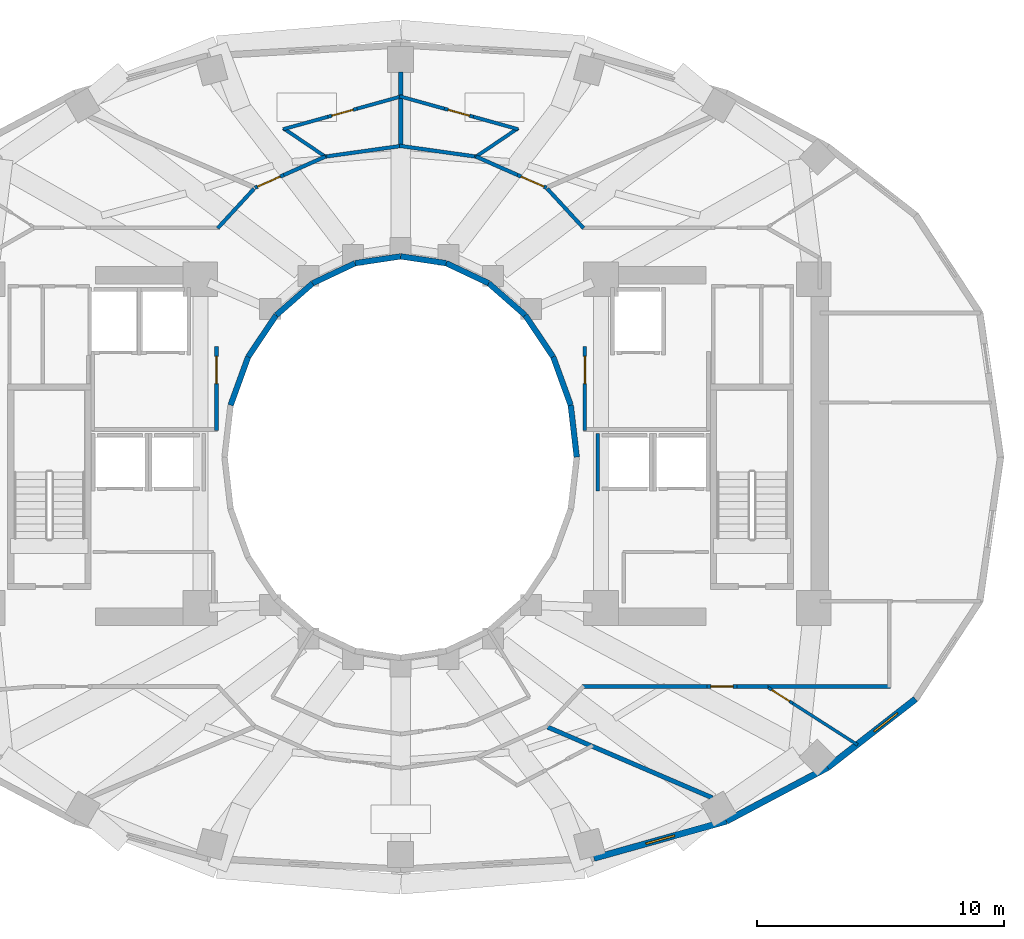
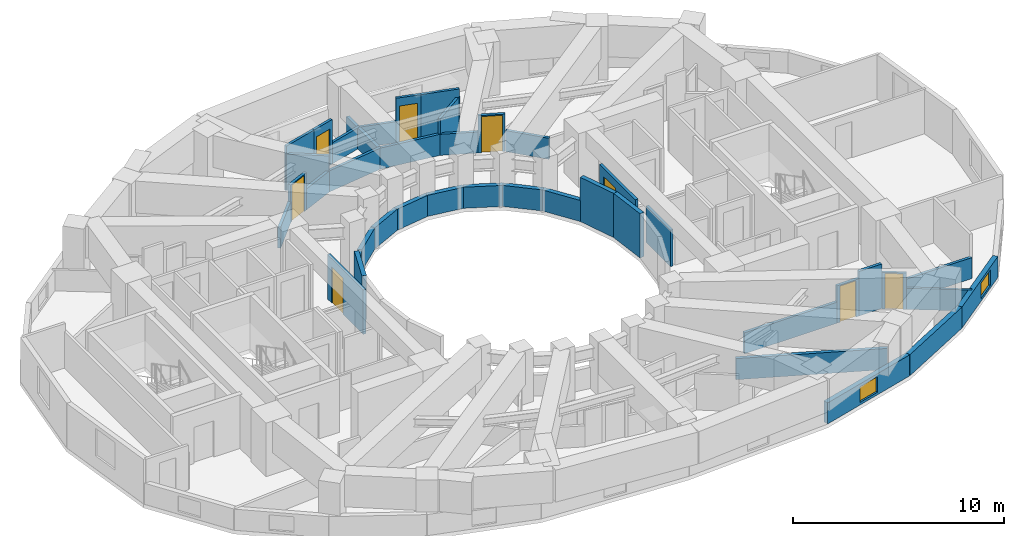
# One storey, part 5 of 9: 41 walls, 8 doors, 2 windows, 10 openings.
"""IFC4 building model written with IfcOpenShell, lengths in metres."""

from ifc_helpers import new_model, si_unit, direction, frame, frame_2d, origin, place, context, subcontext, project, spatial, rectangle, extrude, material, layer, layer_set, type_object, element, fill, save


model = new_model("IFC4")

# Units and contexts
model_context = context("Model", 3, precision=1e-05, world=origin(), true_north=direction((0.0, 1.0)))
body_context = subcontext(model_context, "Body", "Model", "MODEL_VIEW")
ifc_project = project(units=[si_unit("LENGTHUNIT", "METRE"), si_unit("AREAUNIT", "SQUARE_METRE"), si_unit("VOLUMEUNIT", "CUBIC_METRE"), si_unit("PLANEANGLEUNIT", "RADIAN"), si_unit("MASSUNIT", "GRAM", prefix="KILO")], contexts=[model_context])

# Site, building, storey
site_placement = place(None, origin())
site = spatial("IfcSite", under=ifc_project, at=site_placement, CompositionType="ELEMENT")
building_placement = place(site_placement, origin())
building = spatial("IfcBuilding", under=site, at=building_placement, Name="Solvane Sanctuary Tower", CompositionType="ELEMENT")
storey_placement = place(building_placement, frame((0.0, 0.0, 125.89990234375)))
storey = spatial("IfcBuildingStorey", under=building, at=storey_placement, Name="L38", CompositionType="ELEMENT", Elevation=125.89990234375)

# Wall, opening, door
ifc_material_1 = material(Name="Acoustic Gypsum Partition Board")
ifc_layer_1 = layer(ifc_material_1, 0.14990234375, Name="Acoustic Gypsum Partition Board")
ifc_layer_set_1 = layer_set([ifc_layer_1], Name="Acoustic Gypsum Partition Board")
wall_type_1 = type_object("IfcWallType", Name="Wall W-CORR-150", PredefinedType="PARTITIONING", material=ifc_layer_set_1)
wall_1_placement = place(storey_placement, frame((24.550048828125, 24.080078125, 0.0), z_axis=(0.0, 0.0, 1.0), x_axis=(0.0, 1.0, 0.0)))
wall_1 = element("IfcWall", 1, at=wall_1_placement, inside=storey, type_object=wall_type_1, Name="L38 West Firefighting Lobby East Wall", PredefinedType="PARTITIONING", context=body_context, shape_type="SweptSolid", body=[
    extrude(rectangle(XDim=3.39990234375, YDim=0.14990234375, at=frame_2d((1.699951171875, 0.0))), origin(), (0.0, 0.0, 1.0), 2.5751953125),
])
opening_1_placement = place(wall_1_placement, frame((1.893798828125, 0.0, 0.0)))
opening_1 = element("IfcOpeningElement", 2, at=opening_1_placement, cuts=wall_1, Name="Opening D-L38-04", PredefinedType="OPENING", context=body_context, shape_type="SweptSolid", body=[
    extrude(rectangle(XDim=1.10009765625, YDim=2.10009765625, at=frame_2d((0.550048828125, 1.050048828125))), frame((0.0, 0.0849609375, 0.0), z_axis=(0.0, -1.0, 0.0), x_axis=(1.0, 0.0, 0.0)), (0.0, 0.0, 1.0), 0.169921875),
])
ifc_material_2 = material(Name="Architectural Stainless Steel 316", Category="steel")
door_type_1 = type_object("IfcDoorType", Name="Door D-FFL", OperationType="NOTDEFINED", PredefinedType="DOOR", material=ifc_material_2)
door_1_placement = place(opening_1_placement, origin())
door_1 = element("IfcDoor", 3, at=door_1_placement, inside=storey, type_object=door_type_1, Name="L38 West Firefighting Lobby Fire Door", OperationType="SINGLE_SWING_RIGHT", OverallHeight=2.10009765625, OverallWidth=1.10009765625, PredefinedType="DOOR", context=body_context, shape_type="SweptSolid", body=[
    extrude(rectangle(XDim=1.10009765625, YDim=2.10009765625, at=frame_2d((0.550048828125, 1.050048828125))), frame((0.0, 0.02490234375, 0.0), z_axis=(0.0, -1.0, 0.0), x_axis=(1.0, 0.0, 0.0)), (0.0, 0.0, 1.0), 0.050048828125),
])
fill(opening_1, door_1)

wall_2_placement = place(storey_placement, frame((39.449951171875, 24.080078125, 0.0), z_axis=(0.0, 0.0, 1.0), x_axis=(0.0, 1.0, 0.0)))
wall_2 = element("IfcWall", 4, at=wall_2_placement, inside=storey, type_object=wall_type_1, Name="L38 East Firefighting Lobby West Wall", PredefinedType="PARTITIONING", context=body_context, shape_type="SweptSolid", body=[
    extrude(rectangle(XDim=3.39990234375, YDim=0.14990234375, at=frame_2d((1.699951171875, 0.0))), origin(), (0.0, 0.0, 1.0), 2.5751953125),
])
opening_2_placement = place(wall_2_placement, frame((1.893798828125, 0.0, 0.0)))
opening_2 = element("IfcOpeningElement", 5, at=opening_2_placement, cuts=wall_2, Name="Opening D-L38-05", PredefinedType="OPENING", context=body_context, shape_type="SweptSolid", body=[
    extrude(rectangle(XDim=1.10009765625, YDim=2.10009765625, at=frame_2d((0.550048828125, 1.050048828125))), frame((0.0, 0.0849609375, 0.0), z_axis=(0.0, -1.0, 0.0), x_axis=(1.0, 0.0, 0.0)), (0.0, 0.0, 1.0), 0.169921875),
])
door_2_placement = place(opening_2_placement, origin())
door_2 = element("IfcDoor", 6, at=door_2_placement, inside=storey, type_object=door_type_1, Name="L38 East Firefighting Lobby Fire Door", OperationType="SINGLE_SWING_LEFT", OverallHeight=2.10009765625, OverallWidth=1.10009765625, PredefinedType="DOOR", context=body_context, shape_type="SweptSolid", body=[
    extrude(rectangle(XDim=1.10009765625, YDim=2.10009765625, at=frame_2d((0.550048828125, 1.050048828125))), frame((0.0, 0.02490234375, 0.0), z_axis=(0.0, -1.0, 0.0), x_axis=(1.0, 0.0, 0.0)), (0.0, 0.0, 1.0), 0.050048828125),
])
fill(opening_2, door_2)

# Walls
for number, where, z_axis, x_axis, name in (
    (7, (37.92822265625, 33.855712890625, 0.0), (0.0, 0.0, 1.0), (0.677579737957, -0.735449317567, 0.0), "L38 NE Corner Throat Wall"),
    (8, (26.07177734375, 33.855712890625, 0.0), (0.0, 0.0, 1.0), (-0.677579737957, -0.735449317567, 0.0), "L38 NW Corner Throat Wall"),
):
    element("IfcWall", number, at=place(storey_placement, frame(where, z_axis=z_axis, x_axis=x_axis)), inside=storey, type_object=wall_type_1, Name=name, PredefinedType="PARTITIONING", context=body_context, shape_type="SweptSolid", body=[
        extrude(rectangle(XDim=2.172607421875, YDim=0.14990234375, at=frame_2d((1.08642578125, 0.0))), origin(), (0.0, 0.0, 1.0), 1.22021484375),
    ])
wall_3_placement = place(storey_placement, frame((39.330078125, 13.719970703125, 0.0), z_axis=(0.0, 0.0, 1.0), x_axis=(1.0, 0.0, 0.0)))
element("IfcWall", 9, at=wall_3_placement, inside=storey, type_object=wall_type_1, Name="L38 SE Corner Corridor Wall", PredefinedType="PARTITIONING", context=body_context, shape_type="SweptSolid", body=[
    extrude(rectangle(XDim=5.059814453125, YDim=0.14990234375, at=frame_2d((2.52978515625, 0.0))), origin(), (0.0, 0.0, 1.0), 1.22021484375),
])

# Wall, opening, door
wall_4_placement = place(storey_placement, frame((44.389892578125, 13.719970703125, 0.0), z_axis=(0.0, 0.0, 1.0), x_axis=(1.0, 0.0, 0.0)))
wall_4 = element("IfcWall", 10, at=wall_4_placement, inside=storey, type_object=wall_type_1, Name="L38 SE Corner Corridor Wall", PredefinedType="PARTITIONING", context=body_context, shape_type="SweptSolid", body=[
    extrude(rectangle(XDim=1.22021484375, YDim=0.14990234375, at=frame_2d((0.610107421875, 0.0))), origin(), (0.0, 0.0, 1.0), 2.16015625),
])
opening_3_placement = place(wall_4_placement, frame((0.159912109375, 0.0, 0.0)))
opening_3 = element("IfcOpeningElement", 11, at=opening_3_placement, cuts=wall_4, Name="Opening D-L38-21", PredefinedType="OPENING", context=body_context, shape_type="SweptSolid", body=[
    extrude(rectangle(XDim=0.89990234375, YDim=2.10009765625, at=frame_2d((0.449951171875, 1.050048828125))), frame((0.0, 0.0849609375, 0.0), z_axis=(0.0, -1.0, 0.0), x_axis=(1.0, 0.0, 0.0)), (0.0, 0.0, 1.0), 0.169921875),
])
ifc_material_3 = material(Name="Engineered Tropical Hardwood", Category="wood")
door_type_2 = type_object("IfcDoorType", Name="Door D-WET-900", OperationType="NOTDEFINED", PredefinedType="DOOR", material=ifc_material_3)
door_3_placement = place(opening_3_placement, origin())
door_3 = element("IfcDoor", 12, at=door_3_placement, inside=storey, type_object=door_type_2, Name="L38 SE Corner Salon Door", OperationType="SINGLE_SWING_LEFT", OverallHeight=2.10009765625, OverallWidth=0.89990234375, PredefinedType="DOOR", context=body_context, shape_type="SweptSolid", body=[
    extrude(rectangle(XDim=0.89990234375, YDim=2.10009765625, at=frame_2d((0.449951171875, 1.050048828125))), frame((0.0, 0.02490234375, 0.0), z_axis=(0.0, -1.0, 0.0), x_axis=(1.0, 0.0, 0.0)), (0.0, 0.0, 1.0), 0.050048828125),
])
fill(opening_3, door_3)

# Walls
wall_5_placement = place(storey_placement, frame((45.610107421875, 13.719970703125, 0.0), z_axis=(0.0, 0.0, 1.0), x_axis=(1.0, 0.0, 0.0)))
element("IfcWall", 13, at=wall_5_placement, inside=storey, type_object=wall_type_1, Name="L38 SE Corner Corridor Wall", PredefinedType="PARTITIONING", context=body_context, shape_type="SweptSolid", body=[
    extrude(rectangle(XDim=1.239990234375, YDim=0.14990234375, at=frame_2d((0.6201171875, 0.0))), origin(), (0.0, 0.0, 1.0), 2.5751953125),
])
wall_6_placement = place(storey_placement, frame((46.75, 13.719970703125, 0.0), z_axis=(0.0, 0.0, 1.0), x_axis=(1.0, 0.0, 0.0)))
element("IfcWall", 14, at=wall_6_placement, inside=storey, type_object=wall_type_1, Name="L38 SE Corner Wing Wall", PredefinedType="PARTITIONING", context=body_context, shape_type="SweptSolid", body=[
    extrude(rectangle(XDim=5.050048828125, YDim=0.14990234375, at=frame_2d((2.52490234375, 0.0))), origin(), (0.0, 0.0, 1.0), 1.22021484375),
])
wall_7_placement = place(storey_placement, frame((35.098876953125, 35.146240234375, 0.0), z_axis=(0.0, 0.0, 1.0), x_axis=(-0.990251283702, 0.139292480508, 0.0)))
element("IfcWall", 15, at=wall_7_placement, inside=storey, type_object=wall_type_1, Name="L38 En-suite Inner Wall N1", PredefinedType="PARTITIONING", context=body_context, shape_type="SweptSolid", body=[
    extrude(rectangle(XDim=3.179443359375, YDim=0.14990234375, at=frame_2d((1.58984375, 0.0))), origin(), (0.0, 0.0, 1.0), 1.22021484375),
])

# Wall, opening, door
wall_8_placement = place(storey_placement, frame((37.898193359375, 33.891845703125, 0.0), z_axis=(0.0, 0.0, 1.0), x_axis=(-0.914525839607, 0.404527488177, 0.0)))
wall_8 = element("IfcWall", 16, at=wall_8_placement, inside=storey, type_object=wall_type_1, Name="L38 Unit Corridor Wall N1", PredefinedType="PARTITIONING", context=body_context, shape_type="SweptSolid", body=[
    extrude(rectangle(XDim=1.280029296875, YDim=0.14990234375, at=frame_2d((0.64013671875, 0.0))), origin(), (0.0, 0.0, 1.0), 2.16015625),
])
opening_4_placement = place(wall_8_placement, frame((0.1201171875, 0.0, 0.0)))
opening_4 = element("IfcOpeningElement", 17, at=opening_4_placement, cuts=wall_8, Name="Opening D-L38-24", PredefinedType="OPENING", context=body_context, shape_type="SweptSolid", body=[
    extrude(rectangle(XDim=1.0, YDim=2.10009765625, at=frame_2d((0.5, 1.050048828125))), frame((0.0, 0.0849609375, 0.0), z_axis=(0.0, -1.0, 0.0), x_axis=(1.0, 0.0, 0.0)), (0.0, 0.0, 1.0), 0.169921875),
])
door_type_3 = type_object("IfcDoorType", Name="Door D-UNIT", OperationType="NOTDEFINED", PredefinedType="DOOR", material=ifc_material_3)
door_4_placement = place(opening_4_placement, origin())
door_4 = element("IfcDoor", 18, at=door_4_placement, inside=storey, type_object=door_type_3, Name="L38 Unit Entrance Door N1", OperationType="SINGLE_SWING_RIGHT", OverallHeight=2.10009765625, OverallWidth=1.0, PredefinedType="DOOR", context=body_context, shape_type="SweptSolid", body=[
    extrude(rectangle(XDim=1.0, YDim=2.10009765625, at=frame_2d((0.5, 1.050048828125))), frame((0.0, 0.02490234375, 0.0), z_axis=(0.0, -1.0, 0.0), x_axis=(1.0, 0.0, 0.0)), (0.0, 0.0, 1.0), 0.050048828125),
])
fill(opening_4, door_4)

# Walls
wall_9_placement = place(storey_placement, frame((36.7275390625, 34.40966796875, 0.0), z_axis=(0.0, 0.0, 1.0), x_axis=(-0.914514610873, 0.404552872316, 0.0)))
element("IfcWall", 19, at=wall_9_placement, inside=storey, type_object=wall_type_1, Name="L38 Unit Corridor Wall N1", PredefinedType="PARTITIONING", context=body_context, shape_type="SweptSolid", body=[
    extrude(rectangle(XDim=1.84375, YDim=0.14990234375, at=frame_2d((0.921875, 0.0))), origin(), (0.0, 0.0, 1.0), 1.22021484375),
])
wall_10_placement = place(storey_placement, frame((32.049560546875, 35.589111328125, 0.0), z_axis=(0.0, 0.0, 1.0), x_axis=(-0.990251283702, -0.139292480508, 0.0)))
element("IfcWall", 20, at=wall_10_placement, inside=storey, type_object=wall_type_1, Name="L38 En-suite Inner Wall N2", PredefinedType="PARTITIONING", context=body_context, shape_type="SweptSolid", body=[
    extrude(rectangle(XDim=3.179443359375, YDim=0.14990234375, at=frame_2d((1.58984375, 0.0))), origin(), (0.0, 0.0, 1.0), 1.22021484375),
])
wall_11_placement = place(storey_placement, frame((28.95849609375, 35.155517578125, 0.0), z_axis=(0.0, 0.0, 1.0), x_axis=(-0.914514610873, -0.404552872316, 0.0)))
element("IfcWall", 21, at=wall_11_placement, inside=storey, type_object=wall_type_1, Name="L38 Unit Corridor Wall N2", PredefinedType="PARTITIONING", context=body_context, shape_type="SweptSolid", body=[
    extrude(rectangle(XDim=1.84375, YDim=0.14990234375, at=frame_2d((0.921875, 0.0))), origin(), (0.0, 0.0, 1.0), 1.22021484375),
])

# Wall, opening, door
wall_12_placement = place(storey_placement, frame((27.2724609375, 34.40966796875, 0.0), z_axis=(0.0, 0.0, 1.0), x_axis=(-0.914525839607, -0.404527488177, 0.0)))
wall_12 = element("IfcWall", 22, at=wall_12_placement, inside=storey, type_object=wall_type_1, Name="L38 Unit Corridor Wall N2", PredefinedType="PARTITIONING", context=body_context, shape_type="SweptSolid", body=[
    extrude(rectangle(XDim=1.280029296875, YDim=0.14990234375, at=frame_2d((0.64013671875, 0.0))), origin(), (0.0, 0.0, 1.0), 2.16015625),
])
opening_5_placement = place(wall_12_placement, frame((0.159912109375, 0.0, 0.0)))
opening_5 = element("IfcOpeningElement", 23, at=opening_5_placement, cuts=wall_12, Name="Opening D-L38-26", PredefinedType="OPENING", context=body_context, shape_type="SweptSolid", body=[
    extrude(rectangle(XDim=1.0, YDim=2.10009765625, at=frame_2d((0.5, 1.050048828125))), frame((0.0, 0.0849609375, 0.0), z_axis=(0.0, -1.0, 0.0), x_axis=(1.0, 0.0, 0.0)), (0.0, 0.0, 1.0), 0.169921875),
])
door_5_placement = place(opening_5_placement, origin())
door_5 = element("IfcDoor", 24, at=door_5_placement, inside=storey, type_object=door_type_3, Name="L38 Unit Entrance Door N2", OperationType="SINGLE_SWING_RIGHT", OverallHeight=2.10009765625, OverallWidth=1.0, PredefinedType="DOOR", context=body_context, shape_type="SweptSolid", body=[
    extrude(rectangle(XDim=1.0, YDim=2.10009765625, at=frame_2d((0.5, 1.050048828125))), frame((0.0, 0.02490234375, 0.0), z_axis=(0.0, -1.0, 0.0), x_axis=(1.0, 0.0, 0.0)), (0.0, 0.0, 1.0), 0.050048828125),
])
fill(opening_5, door_5)

# Wall, opening, window
ifc_material_4 = material(Name="Precast concrete C40/50", Category="concrete")
ifc_layer_2 = layer(ifc_material_4, 0.260009765625, Name="Precast concrete C40/50")
ifc_layer_set_2 = layer_set([ifc_layer_2], Name="Precast concrete C40/50")
wall_type_2 = type_object("IfcWallType", Name="Wall W-EXT-250", PredefinedType="STANDARD", material=ifc_layer_set_2)
wall_13_placement = place(storey_placement, frame((39.81640625, 6.7783203125, 0.0), z_axis=(0.0, 0.0, 1.0), x_axis=(0.962938491413, 0.269721081407, 0.0)))
wall_13 = element("IfcWall", 25, at=wall_13_placement, inside=storey, type_object=wall_type_2, Name="L38 Ceramic-Printed Facade Wall 19", PredefinedType="STANDARD", context=body_context, shape_type="SweptSolid", body=[
    extrude(rectangle(XDim=5.563232421875, YDim=0.260009765625, at=frame_2d((2.78173828125, 0.0))), origin(), (0.0, 0.0, 1.0), 1.22021484375),
])
opening_6_placement = place(wall_13_placement, frame((2.181640625, 0.0, 0.14990234375)))
opening_6 = element("IfcOpeningElement", 26, at=opening_6_placement, cuts=wall_13, Name="Opening WN-OPER-1200", PredefinedType="OPENING", context=body_context, shape_type="SweptSolid", body=[
    extrude(rectangle(XDim=1.199951171875, YDim=0.89990234375, at=frame_2d((0.60009765625, 0.449951171875))), frame((0.0, 0.139892578125, 0.0), z_axis=(0.0, -1.0, 0.0), x_axis=(1.0, 0.0, 0.0)), (0.0, 0.0, 1.0), 0.280029296875),
])
ifc_material_5 = material(Name="Dark Ceramic-Fritted Low-E Glass", Category="glass")
window_type = type_object("IfcWindowType", Name="Window WN-OPER-1200", PartitioningType="SINGLE_PANEL", PredefinedType="WINDOW", material=ifc_material_5)
window_1_placement = place(opening_6_placement, origin())
window_1 = element("IfcWindow", 27, at=window_1_placement, inside=storey, type_object=window_type, Name="L38 Operable Facade Window 19", OverallHeight=0.89990234375, OverallWidth=1.199951171875, PartitioningType="SINGLE_PANEL", PredefinedType="WINDOW", context=body_context, shape_type="SweptSolid", body=[
    extrude(rectangle(XDim=1.199951171875, YDim=0.89990234375, at=frame_2d((0.60009765625, 0.449951171875))), frame((0.0, 0.030029296875, 0.0), z_axis=(0.0, -1.0, 0.0), x_axis=(1.0, 0.0, 0.0)), (0.0, 0.0, 1.0), 0.06005859375),
])
fill(opening_6, window_1)

# Wall
wall_14_placement = place(storey_placement, frame((45.17333984375, 8.27880859375, 0.0), z_axis=(0.0, 0.0, 1.0), x_axis=(0.883668636807, 0.4681129568, 0.0)))
element("IfcWall", 28, at=wall_14_placement, inside=storey, type_object=wall_type_2, Name="L38 Ceramic-Printed Facade Wall 20", PredefinedType="STANDARD", context=body_context, shape_type="SweptSolid", body=[
    extrude(rectangle(XDim=4.63134765625, YDim=0.260009765625, at=frame_2d((2.315673828125, 0.0))), origin(), (0.0, 0.0, 1.0), 1.22021484375),
])

# Wall, opening, window
wall_15_placement = place(storey_placement, frame((49.265869140625, 10.44677734375, 0.0), z_axis=(0.0, 0.0, 1.0), x_axis=(0.789127449954, 0.614229491094, 0.0)))
wall_15 = element("IfcWall", 29, at=wall_15_placement, inside=storey, type_object=wall_type_2, Name="L38 Ceramic-Printed Facade Wall 21", PredefinedType="STANDARD", context=body_context, shape_type="SweptSolid", body=[
    extrude(rectangle(XDim=4.504638671875, YDim=0.260009765625, at=frame_2d((2.25244140625, 0.0))), origin(), (0.0, 0.0, 1.0), 1.22021484375),
])
opening_7_placement = place(wall_15_placement, frame((2.383056640625, 0.0, 0.14990234375)))
opening_7 = element("IfcOpeningElement", 30, at=opening_7_placement, cuts=wall_15, Name="Opening WN-OPER-1200", PredefinedType="OPENING", context=body_context, shape_type="SweptSolid", body=[
    extrude(rectangle(XDim=1.199951171875, YDim=0.89990234375, at=frame_2d((0.60009765625, 0.449951171875))), frame((0.0, 0.139892578125, 0.0), z_axis=(0.0, -1.0, 0.0), x_axis=(1.0, 0.0, 0.0)), (0.0, 0.0, 1.0), 0.280029296875),
])
window_2_placement = place(opening_7_placement, origin())
window_2 = element("IfcWindow", 31, at=window_2_placement, inside=storey, type_object=window_type, Name="L38 Operable Facade Window 21", OverallHeight=0.89990234375, OverallWidth=1.199951171875, PartitioningType="SINGLE_PANEL", PredefinedType="WINDOW", context=body_context, shape_type="SweptSolid", body=[
    extrude(rectangle(XDim=1.199951171875, YDim=0.89990234375, at=frame_2d((0.60009765625, 0.449951171875))), frame((0.0, 0.030029296875, 0.0), z_axis=(0.0, -1.0, 0.0), x_axis=(1.0, 0.0, 0.0)), (0.0, 0.0, 1.0), 0.06005859375),
])
fill(opening_7, window_2)

# Walls
ifc_layer_3 = layer(ifc_material_4, 0.22998046875, Name="Precast concrete C40/50")
ifc_layer_set_3 = layer_set([ifc_layer_3], Name="Precast concrete C40/50")
wall_type_3 = type_object("IfcWallType", Name="Wall W-EXT-SP220", PredefinedType="STANDARD", material=ifc_layer_set_3)
wall_16_placement = place(storey_placement, frame((39.1201171875, 23.0, 0.0), z_axis=(0.0, 0.0, 1.0), x_axis=(-0.114711713601, 0.993398823617, 0.0)))
element("IfcWall", 32, at=wall_16_placement, inside=storey, type_object=wall_type_3, Name="L38 Central Light-Well Wall 00", PredefinedType="STANDARD", context=body_context, shape_type="SweptSolid", body=[
    extrude(rectangle(XDim=2.115478515625, YDim=0.22998046875, at=frame_2d((1.0576171875, 0.0))), origin(), (0.0, 0.0, 1.0), 2.56005859375),
])
wall_17_placement = place(storey_placement, frame((38.87744140625, 25.1015625, 0.0), z_axis=(0.0, 0.0, 1.0), x_axis=(-0.341423187295, 0.93990968033, 0.0)))
element("IfcWall", 33, at=wall_17_placement, inside=storey, type_object=wall_type_3, Name="L38 Central Light-Well Wall 01", PredefinedType="STANDARD", context=body_context, shape_type="SweptSolid", body=[
    extrude(rectangle(XDim=2.083740234375, YDim=0.22998046875, at=frame_2d((1.0419921875, 0.0))), origin(), (0.0, 0.0, 1.0), 2.56005859375),
])
wall_18_placement = place(storey_placement, frame((38.166015625, 27.06005859375, 0.0), z_axis=(0.0, 0.0, 1.0), x_axis=(-0.558197800898, 0.829707909492, 0.0)))
element("IfcWall", 34, at=wall_18_placement, inside=storey, type_object=wall_type_3, Name="L38 Central Light-Well Wall 02", PredefinedType="STANDARD", context=body_context, shape_type="SweptSolid", body=[
    extrude(rectangle(XDim=2.02685546875, YDim=0.22998046875, at=frame_2d((1.013427734375, 0.0))), origin(), (0.0, 0.0, 1.0), 1.22021484375),
])
wall_19_placement = place(storey_placement, frame((37.03466796875, 28.74169921875, 0.0), z_axis=(0.0, 0.0, 1.0), x_axis=(-0.752576694707, 0.658504607869, 0.0)))
element("IfcWall", 35, at=wall_19_placement, inside=storey, type_object=wall_type_3, Name="L38 Central Light-Well Wall 03", PredefinedType="STANDARD", context=body_context, shape_type="SweptSolid", body=[
    extrude(rectangle(XDim=1.95947265625, YDim=0.22998046875, at=frame_2d((0.979736328125, 0.0))), origin(), (0.0, 0.0, 1.0), 1.22021484375),
])
wall_20_placement = place(storey_placement, frame((35.56005859375, 30.031982421875, 0.0), z_axis=(0.0, 0.0, 1.0), x_axis=(-0.904179699603, 0.427152280606, 0.0)))
element("IfcWall", 36, at=wall_20_placement, inside=storey, type_object=wall_type_3, Name="L38 Central Light-Well Wall 04", PredefinedType="STANDARD", context=body_context, shape_type="SweptSolid", body=[
    extrude(rectangle(XDim=1.899169921875, YDim=0.22998046875, at=frame_2d((0.94970703125, 0.0))), origin(), (0.0, 0.0, 1.0), 1.22021484375),
])
for number, where, z_axis, x_axis, name in (
    (37, (33.8427734375, 30.84326171875, 0.0), (0.0, 0.0, 1.0), (-0.988901730308, 0.148571086668, 0.0), "L38 Central Light-Well Wall 05"),
    (38, (32.0, 31.1201171875, 0.0), (0.0, 0.0, 1.0), (-0.988901730308, -0.148571086668, 0.0), "L38 Central Light-Well Wall 06"),
):
    element("IfcWall", number, at=place(storey_placement, frame(where, z_axis=z_axis, x_axis=x_axis)), inside=storey, type_object=wall_type_3, Name=name, PredefinedType="STANDARD", context=body_context, shape_type="SweptSolid", body=[
        extrude(rectangle(XDim=1.863525390625, YDim=0.22998046875, at=frame_2d((0.931640625, 0.0))), origin(), (0.0, 0.0, 1.0), 1.22021484375),
    ])
wall_21_placement = place(storey_placement, frame((30.1572265625, 30.84326171875, 0.0), z_axis=(0.0, 0.0, 1.0), x_axis=(-0.904179699603, -0.427152280606, 0.0)))
element("IfcWall", 39, at=wall_21_placement, inside=storey, type_object=wall_type_3, Name="L38 Central Light-Well Wall 07", PredefinedType="STANDARD", context=body_context, shape_type="SweptSolid", body=[
    extrude(rectangle(XDim=1.899169921875, YDim=0.22998046875, at=frame_2d((0.94970703125, 0.0))), origin(), (0.0, 0.0, 1.0), 1.22021484375),
])
wall_22_placement = place(storey_placement, frame((28.43994140625, 30.031982421875, 0.0), z_axis=(0.0, 0.0, 1.0), x_axis=(-0.752576694707, -0.658504607869, 0.0)))
element("IfcWall", 40, at=wall_22_placement, inside=storey, type_object=wall_type_3, Name="L38 Central Light-Well Wall 08", PredefinedType="STANDARD", context=body_context, shape_type="SweptSolid", body=[
    extrude(rectangle(XDim=1.95947265625, YDim=0.22998046875, at=frame_2d((0.979736328125, 0.0))), origin(), (0.0, 0.0, 1.0), 1.22021484375),
])
wall_23_placement = place(storey_placement, frame((26.96533203125, 28.74169921875, 0.0), z_axis=(0.0, 0.0, 1.0), x_axis=(-0.558197800898, -0.829707909492, 0.0)))
element("IfcWall", 41, at=wall_23_placement, inside=storey, type_object=wall_type_3, Name="L38 Central Light-Well Wall 09", PredefinedType="STANDARD", context=body_context, shape_type="SweptSolid", body=[
    extrude(rectangle(XDim=2.02685546875, YDim=0.22998046875, at=frame_2d((1.013427734375, 0.0))), origin(), (0.0, 0.0, 1.0), 1.22021484375),
])
wall_24_placement = place(storey_placement, frame((25.833984375, 27.06005859375, 0.0), z_axis=(0.0, 0.0, 1.0), x_axis=(-0.341423187295, -0.93990968033, 0.0)))
element("IfcWall", 42, at=wall_24_placement, inside=storey, type_object=wall_type_3, Name="L38 Central Light-Well Wall 10", PredefinedType="STANDARD", context=body_context, shape_type="SweptSolid", body=[
    extrude(rectangle(XDim=2.083740234375, YDim=0.22998046875, at=frame_2d((1.0419921875, 0.0))), origin(), (0.0, 0.0, 1.0), 2.56005859375),
])

# Wall, opening, door
ifc_layer_4 = layer(ifc_material_1, 0.1201171875, Name="Acoustic Gypsum Partition Board")
ifc_layer_set_4 = layer_set([ifc_layer_4], Name="Acoustic Gypsum Partition Board")
wall_type_4 = type_object("IfcWallType", Name="Wall W-MOV-100", PredefinedType="MOVABLE", material=ifc_layer_set_4)
wall_25_placement = place(storey_placement, frame((46.871826171875, 13.674072265625, 0.0), z_axis=(0.0, 0.0, 1.0), x_axis=(0.841774593721, -0.53982917054, 0.0)))
wall_25 = element("IfcWall", 43, at=wall_25_placement, inside=storey, type_object=wall_type_4, Name="L38 SE Corner Suite Partition", PredefinedType="MOVABLE", context=body_context, shape_type="SweptSolid", body=[
    extrude(rectangle(XDim=1.169921875, YDim=0.1201171875, at=frame_2d((0.5849609375, 0.0))), origin(), (0.0, 0.0, 1.0), 2.110107421875),
])
opening_8_placement = place(wall_25_placement, frame((0.159912109375, 0.0, 0.0)))
opening_8 = element("IfcOpeningElement", 44, at=opening_8_placement, cuts=wall_25, Name="Opening D-L38-20", PredefinedType="OPENING", context=body_context, shape_type="SweptSolid", body=[
    extrude(rectangle(XDim=0.85009765625, YDim=2.050048828125, at=frame_2d((0.425048828125, 1.02490234375))), frame((0.0, 0.070068359375, 0.0), z_axis=(0.0, -1.0, 0.0), x_axis=(1.0, 0.0, 0.0)), (0.0, 0.0, 1.0), 0.14013671875),
])
door_type_4 = type_object("IfcDoorType", Name="Door D-RISER", OperationType="NOTDEFINED", PredefinedType="DOOR", material=ifc_material_2)
door_6_placement = place(opening_8_placement, origin())
door_6 = element("IfcDoor", 45, at=door_6_placement, inside=storey, type_object=door_type_4, Name="L38 SE Corner Suite Door", OperationType="SINGLE_SWING_RIGHT", OverallHeight=2.050048828125, OverallWidth=0.85009765625, PredefinedType="DOOR", context=body_context, shape_type="SweptSolid", body=[
    extrude(rectangle(XDim=0.85009765625, YDim=2.050048828125, at=frame_2d((0.425048828125, 1.02490234375))), frame((0.0, 0.02490234375, 0.0), z_axis=(0.0, -1.0, 0.0), x_axis=(1.0, 0.0, 0.0)), (0.0, 0.0, 1.0), 0.050048828125),
])
fill(opening_8, door_6)

# Walls
wall_26_placement = place(storey_placement, frame((47.856689453125, 13.04248046875, 0.0), z_axis=(0.0, 0.0, 1.0), x_axis=(0.841931160388, -0.539584952689, 0.0)))
element("IfcWall", 46, at=wall_26_placement, inside=storey, type_object=wall_type_4, Name="L38 SE Corner Suite Partition", PredefinedType="MOVABLE", context=body_context, shape_type="SweptSolid", body=[
    extrude(rectangle(XDim=3.1162109375, YDim=0.1201171875, at=frame_2d((1.55810546875, 0.0))), origin(), (0.0, 0.0, 1.0), 1.22021484375),
])
ifc_material_6 = material(Name="Concrete C50/60", Category="concrete")
ifc_layer_5 = layer(ifc_material_6, 0.14990234375, Name="Concrete C50/60")
ifc_layer_set_5 = layer_set([ifc_layer_5], Name="Concrete C50/60")
wall_type_5 = type_object("IfcWallType", Name="Wall W-SHAFT-150", PredefinedType="SOLIDWALL", material=ifc_layer_set_5)
wall_27_placement = place(storey_placement, frame((39.969970703125, 21.639892578125, 0.0), z_axis=(0.0, 0.0, 1.0), x_axis=(0.0, 1.0, 0.0)))
element("IfcWall", 47, at=wall_27_placement, inside=storey, type_object=wall_type_5, Name="L38 PH-2 Lift Shaft Wall S1", PredefinedType="SOLIDWALL", context=body_context, shape_type="SweptSolid", body=[
    extrude(rectangle(XDim=2.320068359375, YDim=0.14990234375, at=frame_2d((1.16015625, 0.0))), origin(), (0.0, 0.0, 1.0), 2.1201171875),
])
ifc_layer_6 = layer(ifc_material_1, 0.179931640625, Name="Acoustic Gypsum Partition Board")
ifc_layer_set_6 = layer_set([ifc_layer_6], Name="Acoustic Gypsum Partition Board")
wall_type_6 = type_object("IfcWallType", Name="Wall W-UNIT-180", PredefinedType="PARTITIONING", material=ifc_layer_set_6)
wall_28_placement = place(storey_placement, frame((32.0, 35.636962890625, 0.0), z_axis=(0.0, 0.0, 1.0), x_axis=(0.0, 1.0, 0.0)))
element("IfcWall", 48, at=wall_28_placement, inside=storey, type_object=wall_type_6, Name="L38 Radial Compartment Wall 090", PredefinedType="PARTITIONING", context=body_context, shape_type="SweptSolid", body=[
    extrude(rectangle(XDim=2.93798828125, YDim=0.179931640625, at=frame_2d((1.468994140625, 0.0))), origin(), (0.0, 0.0, 1.0), 1.22021484375),
])
wall_29_placement = place(storey_placement, frame((37.94140625, 12.08203125, 0.0), z_axis=(0.0, 0.0, 1.0), x_axis=(0.918836579087, -0.394638240584, 0.0)))
element("IfcWall", 49, at=wall_29_placement, inside=storey, type_object=wall_type_6, Name="L38 Radial Compartment Wall 300", PredefinedType="PARTITIONING", context=body_context, shape_type="SweptSolid", body=[
    extrude(rectangle(XDim=7.2529296875, YDim=0.179931640625, at=frame_2d((3.62646484375, 0.0))), origin(), (0.0, 0.0, 1.0), 1.22021484375),
])
ifc_layer_7 = layer(ifc_material_1, 0.139892578125, Name="Acoustic Gypsum Partition Board")
ifc_layer_set_7 = layer_set([ifc_layer_7], Name="Acoustic Gypsum Partition Board")
wall_type_7 = type_object("IfcWallType", Name="Wall W-WET-140", PredefinedType="PLUMBINGWALL", material=ifc_layer_set_7)
wall_30_placement = place(storey_placement, frame((35.008056640625, 35.125244140625, 0.0), z_axis=(0.0, 0.0, 1.0), x_axis=(0.828185016676, 0.560454795816, 0.0)))
element("IfcWall", 50, at=wall_30_placement, inside=storey, type_object=wall_type_7, Name="L38 En-suite Side Partition N1", PredefinedType="PLUMBINGWALL", context=body_context, shape_type="SweptSolid", body=[
    extrude(rectangle(XDim=2.10009765625, YDim=0.139892578125, at=frame_2d((1.050048828125, 0.0))), origin(), (0.0, 0.0, 1.0), 2.10498046875),
])
wall_31_placement = place(storey_placement, frame((36.75390625, 36.2607421875, 0.0), z_axis=(0.0, 0.0, 1.0), x_axis=(-0.963452833817, 0.267878026368, 0.0)))
element("IfcWall", 51, at=wall_31_placement, inside=storey, type_object=wall_type_7, Name="L38 En-suite Bedroom Wall N1", PredefinedType="PLUMBINGWALL", context=body_context, shape_type="SweptSolid", body=[
    extrude(rectangle(XDim=1.882080078125, YDim=0.139892578125, at=frame_2d((0.94091796875, 0.0))), origin(), (0.0, 0.0, 1.0), 2.5751953125),
])

# Wall, opening, door
wall_32_placement = place(storey_placement, frame((34.940673828125, 36.764892578125, 0.0), z_axis=(0.0, 0.0, 1.0), x_axis=(-0.963543707678, 0.267550973451, 0.0)))
wall_32 = element("IfcWall", 52, at=wall_32_placement, inside=storey, type_object=wall_type_7, Name="L38 En-suite Bedroom Wall N1", PredefinedType="PLUMBINGWALL", context=body_context, shape_type="SweptSolid", body=[
    extrude(rectangle(XDim=1.219970703125, YDim=0.139892578125, at=frame_2d((0.60986328125, 0.0))), origin(), (0.0, 0.0, 1.0), 2.5751953125),
])
opening_9_placement = place(wall_32_placement, frame((0.159912109375, 0.0, 0.0)))
opening_9 = element("IfcOpeningElement", 53, at=opening_9_placement, cuts=wall_32, Name="Opening D-L38-23", PredefinedType="OPENING", context=body_context, shape_type="SweptSolid", body=[
    extrude(rectangle(XDim=0.89990234375, YDim=2.10009765625, at=frame_2d((0.449951171875, 1.050048828125))), frame((0.0, 0.079833984375, 0.0), z_axis=(0.0, -1.0, 0.0), x_axis=(1.0, 0.0, 0.0)), (0.0, 0.0, 1.0), 0.159912109375),
])
door_7_placement = place(opening_9_placement, origin())
door_7 = element("IfcDoor", 54, at=door_7_placement, inside=storey, type_object=door_type_2, Name="L38 En-suite Bathroom Door N1", OperationType="SINGLE_SWING_LEFT", OverallHeight=2.10009765625, OverallWidth=0.89990234375, PredefinedType="DOOR", context=body_context, shape_type="SweptSolid", body=[
    extrude(rectangle(XDim=0.89990234375, YDim=2.10009765625, at=frame_2d((0.449951171875, 1.050048828125))), frame((0.0, 0.02490234375, 0.0), z_axis=(0.0, -1.0, 0.0), x_axis=(1.0, 0.0, 0.0)), (0.0, 0.0, 1.0), 0.050048828125),
])
fill(opening_9, door_7)

# Walls
wall_33_placement = place(storey_placement, frame((33.76513671875, 37.09130859375, 0.0), z_axis=(0.0, 0.0, 1.0), x_axis=(-0.963452833817, 0.267878026368, 0.0)))
element("IfcWall", 55, at=wall_33_placement, inside=storey, type_object=wall_type_7, Name="L38 En-suite Bedroom Wall N1", PredefinedType="PLUMBINGWALL", context=body_context, shape_type="SweptSolid", body=[
    extrude(rectangle(XDim=1.882080078125, YDim=0.139892578125, at=frame_2d((0.94091796875, 0.0))), origin(), (0.0, 0.0, 1.0), 1.22021484375),
])
wall_34_placement = place(storey_placement, frame((28.991943359375, 35.125244140625, 0.0), z_axis=(0.0, 0.0, 1.0), x_axis=(-0.828185016676, 0.560454795816, 0.0)))
element("IfcWall", 56, at=wall_34_placement, inside=storey, type_object=wall_type_7, Name="L38 En-suite Side Partition N2", PredefinedType="PLUMBINGWALL", context=body_context, shape_type="SweptSolid", body=[
    extrude(rectangle(XDim=2.10009765625, YDim=0.139892578125, at=frame_2d((1.050048828125, 0.0))), origin(), (0.0, 0.0, 1.0), 2.10498046875),
])
wall_35_placement = place(storey_placement, frame((32.048095703125, 37.595458984375, 0.0), z_axis=(0.0, 0.0, 1.0), x_axis=(-0.963452833817, -0.267878026368, 0.0)))
element("IfcWall", 57, at=wall_35_placement, inside=storey, type_object=wall_type_7, Name="L38 En-suite Bedroom Wall N2", PredefinedType="PLUMBINGWALL", context=body_context, shape_type="SweptSolid", body=[
    extrude(rectangle(XDim=1.882080078125, YDim=0.139892578125, at=frame_2d((0.94091796875, 0.0))), origin(), (0.0, 0.0, 1.0), 1.22021484375),
])

# Wall, opening, door
wall_36_placement = place(storey_placement, frame((30.23486328125, 37.09130859375, 0.0), z_axis=(0.0, 0.0, 1.0), x_axis=(-0.963543707678, -0.267550973451, 0.0)))
wall_36 = element("IfcWall", 58, at=wall_36_placement, inside=storey, type_object=wall_type_7, Name="L38 En-suite Bedroom Wall N2", PredefinedType="PLUMBINGWALL", context=body_context, shape_type="SweptSolid", body=[
    extrude(rectangle(XDim=1.219970703125, YDim=0.139892578125, at=frame_2d((0.60986328125, 0.0))), origin(), (0.0, 0.0, 1.0), 2.5751953125),
])
opening_10_placement = place(wall_36_placement, frame((0.159912109375, 0.0, 0.0)))
opening_10 = element("IfcOpeningElement", 59, at=opening_10_placement, cuts=wall_36, Name="Opening D-L38-25", PredefinedType="OPENING", context=body_context, shape_type="SweptSolid", body=[
    extrude(rectangle(XDim=0.89990234375, YDim=2.10009765625, at=frame_2d((0.449951171875, 1.050048828125))), frame((0.0, 0.079833984375, 0.0), z_axis=(0.0, -1.0, 0.0), x_axis=(1.0, 0.0, 0.0)), (0.0, 0.0, 1.0), 0.159912109375),
])
door_8_placement = place(opening_10_placement, origin())
door_8 = element("IfcDoor", 60, at=door_8_placement, inside=storey, type_object=door_type_2, Name="L38 En-suite Bathroom Door N2", OperationType="SINGLE_SWING_LEFT", OverallHeight=2.10009765625, OverallWidth=0.89990234375, PredefinedType="DOOR", context=body_context, shape_type="SweptSolid", body=[
    extrude(rectangle(XDim=0.89990234375, YDim=2.10009765625, at=frame_2d((0.449951171875, 1.050048828125))), frame((0.0, 0.02490234375, 0.0), z_axis=(0.0, -1.0, 0.0), x_axis=(1.0, 0.0, 0.0)), (0.0, 0.0, 1.0), 0.050048828125),
])
fill(opening_10, door_8)

# Wall
wall_37_placement = place(storey_placement, frame((29.059326171875, 36.764892578125, 0.0), z_axis=(0.0, 0.0, 1.0), x_axis=(-0.963452833817, -0.267878026368, 0.0)))
element("IfcWall", 61, at=wall_37_placement, inside=storey, type_object=wall_type_7, Name="L38 En-suite Bedroom Wall N2", PredefinedType="PLUMBINGWALL", context=body_context, shape_type="SweptSolid", body=[
    extrude(rectangle(XDim=1.882080078125, YDim=0.139892578125, at=frame_2d((0.94091796875, 0.0))), origin(), (0.0, 0.0, 1.0), 2.5751953125),
])

save(model, "model.ifc")
